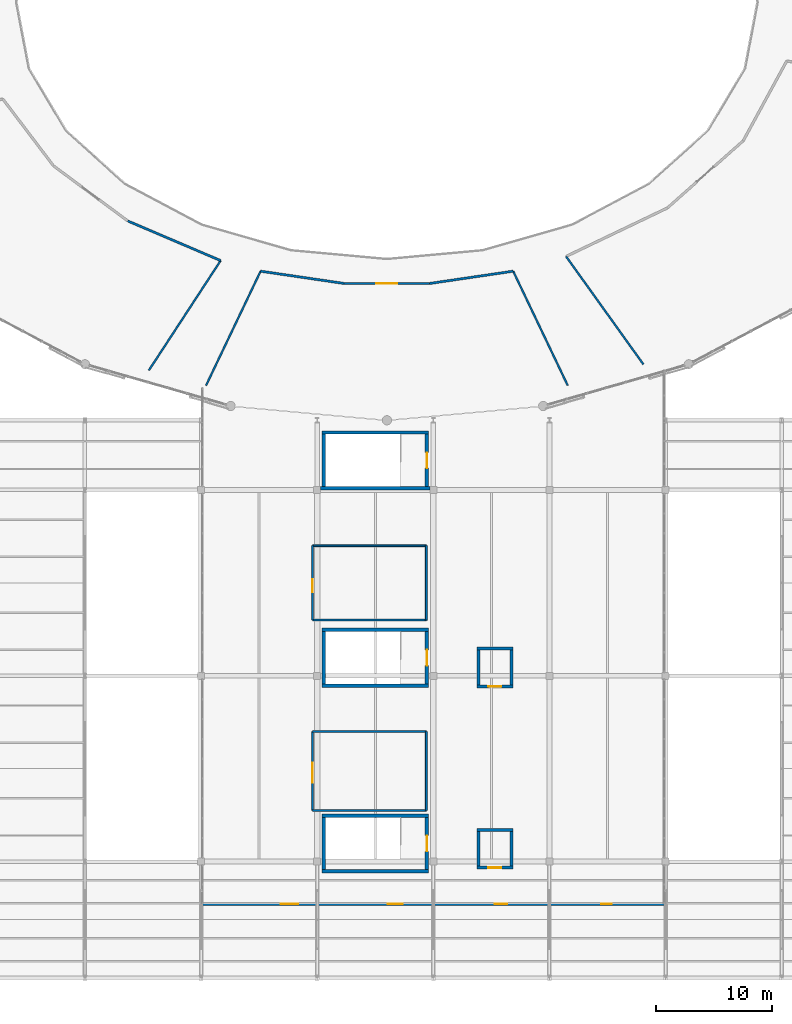
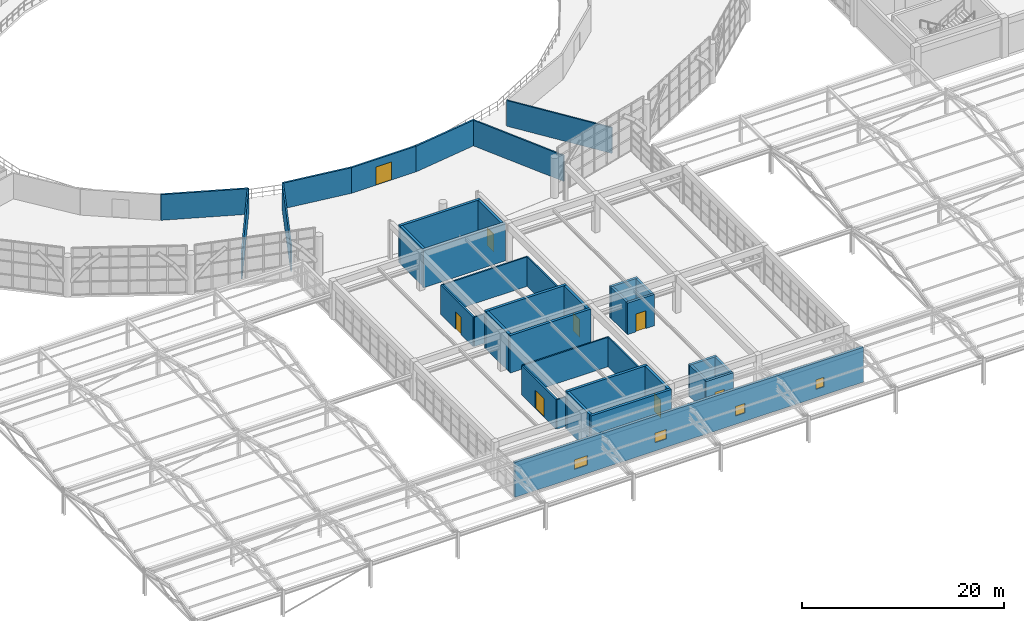
# One storey, part 89 of 109: 37 walls, 8 doors, 4 windows, 12 openings.
"""IFC4 building model written with IfcOpenShell, lengths in metres."""

from ifc_helpers import new_model, si_unit, direction, frame, frame_2d, origin, place, context, subcontext, project, spatial, rectangle, extrude, material, layer, layer_set, type_object, element, fill, save


model = new_model("IFC4")

# Units and contexts
model_context = context("Model", 3, precision=1e-05, world=origin(), true_north=direction((0.0, 1.0)))
body_context = subcontext(model_context, "Body", "Model", "MODEL_VIEW")
ifc_project = project(units=[si_unit("LENGTHUNIT", "METRE"), si_unit("AREAUNIT", "SQUARE_METRE"), si_unit("VOLUMEUNIT", "CUBIC_METRE"), si_unit("PLANEANGLEUNIT", "RADIAN"), si_unit("MASSUNIT", "GRAM", prefix="KILO")], contexts=[model_context])

# Site, building, storey
site_placement = place(None, origin())
site = spatial("IfcSite", under=ifc_project, at=site_placement, CompositionType="ELEMENT")
building_placement = place(site_placement, origin())
building = spatial("IfcBuilding", under=site, at=building_placement, Name="Kivolera Central Railway Station", CompositionType="ELEMENT")
storey_placement = place(building_placement, frame((0.0, 0.0, 9.60009765625)))
storey = spatial("IfcBuildingStorey", under=building, at=storey_placement, Name="L02", CompositionType="ELEMENT", Elevation=9.60009765625)

# Walls
ifc_material_1 = material(Name="Swahili coral limestone", Category="masonry")
ifc_layer_1 = layer(ifc_material_1, 0.199951171875, Name="Swahili coral limestone")
ifc_layer_set_1 = layer_set([ifc_layer_1], Name="Swahili coral limestone")
wall_type_1 = type_object("IfcWallType", Name="WL-COR-200", PredefinedType="PARTITIONING", material=ifc_layer_set_1)
wall_1_placement = place(storey_placement, frame((41.68896484375, 71.166015625, 0.0), z_axis=(0.0, 0.0, 1.0), x_axis=(0.919765730294, -0.39246783483, 0.0)))
element("IfcWall", 1, at=wall_1_placement, inside=storey, type_object=wall_type_1, Name="L02 East African Railway Heritage Classroom Gallery Wall 3", PredefinedType="PARTITIONING", context=body_context, shape_type="SweptSolid", body=[
    extrude(rectangle(XDim=8.69140625, YDim=0.199951171875, at=frame_2d((4.345703125, 0.0))), origin(), (0.0, 0.0, 1.0), 3.099853515625),
])
wall_2_placement = place(storey_placement, frame((53.123046875, 66.842041015625, 0.0), z_axis=(0.0, 0.0, 1.0), x_axis=(0.989348193299, -0.145568377117, 0.0)))
element("IfcWall", 2, at=wall_2_placement, inside=storey, type_object=wall_type_1, Name="L02 South Concourse Intercity Departure Lounge Gallery Wall 1", PredefinedType="PARTITIONING", context=body_context, shape_type="SweptSolid", body=[
    extrude(rectangle(XDim=7.275390625, YDim=0.199951171875, at=frame_2d((3.6376953125, 0.0))), origin(), (0.0, 0.0, 1.0), 3.099853515625),
])

# Wall, opening, door
wall_3_placement = place(storey_placement, frame((60.321044921875, 65.782958984375, 0.0), z_axis=(0.0, 0.0, 1.0), x_axis=(1.0, 0.0, 0.0)))
wall_3 = element("IfcWall", 3, at=wall_3_placement, inside=storey, type_object=wall_type_1, Name="L02 South Concourse Intercity Departure Lounge Gallery Wall 2", PredefinedType="PARTITIONING", context=body_context, shape_type="SweptSolid", body=[
    extrude(rectangle(XDim=7.35791015625, YDim=0.199951171875, at=frame_2d((3.678955078125, 0.0))), origin(), (0.0, 0.0, 1.0), 3.099853515625),
])
opening_1_placement = place(wall_3_placement, frame((2.779052734375, 0.0, 0.0)))
opening_1 = element("IfcOpeningElement", 4, at=opening_1_placement, cuts=wall_3, Name="Opening D-DB-04", PredefinedType="OPENING", context=body_context, shape_type="SweptSolid", body=[
    extrude(rectangle(XDim=1.800048828125, YDim=2.199951171875, at=frame_2d((0.89990234375, 1.10009765625))), frame((0.0, 0.10986328125, 0.0), z_axis=(0.0, -1.0, 0.0), x_axis=(1.0, 0.0, 0.0)), (0.0, 0.0, 1.0), 0.219970703125),
])
ifc_material_2 = material(Name="Anodised aluminium", Category="aluminium")
door_type_1 = type_object("IfcDoorType", Name="DR-D-DB-04", OperationType="NOTDEFINED", PredefinedType="DOOR", material=ifc_material_2)
door_1_placement = place(opening_1_placement, origin())
door_1 = element("IfcDoor", 5, at=door_1_placement, inside=storey, type_object=door_type_1, Name="L02 South Concourse Intercity Departure Lounge Door", OperationType="DOUBLE_DOOR_SINGLE_SWING", OverallHeight=2.199951171875, OverallWidth=1.800048828125, PredefinedType="DOOR", context=body_context, shape_type="SweptSolid", body=[
    extrude(rectangle(XDim=1.800048828125, YDim=2.199951171875, at=frame_2d((0.89990234375, 1.10009765625))), frame((0.0, 0.02490234375, 0.0), z_axis=(0.0, -1.0, 0.0), x_axis=(1.0, 0.0, 0.0)), (0.0, 0.0, 1.0), 0.050048828125),
])
fill(opening_1, door_1)

# Wall
wall_4_placement = place(storey_placement, frame((67.678955078125, 65.782958984375, 0.0), z_axis=(0.0, 0.0, 1.0), x_axis=(0.989348193299, 0.145568377117, 0.0)))
element("IfcWall", 6, at=wall_4_placement, inside=storey, type_object=wall_type_1, Name="L02 South Concourse Intercity Departure Lounge Gallery Wall 3", PredefinedType="PARTITIONING", context=body_context, shape_type="SweptSolid", body=[
    extrude(rectangle(XDim=7.275390625, YDim=0.199951171875, at=frame_2d((3.6376953125, 0.0))), origin(), (0.0, 0.0, 1.0), 3.099853515625),
])

# Wall, opening, door
wall_5_placement = place(storey_placement, frame((57.60009765625, 20.39990234375, 0.0), z_axis=(0.0, 0.0, 1.0), x_axis=(0.0, 1.0, 0.0)))
wall_5 = element("IfcWall", 7, at=wall_5_placement, inside=storey, type_object=wall_type_1, Name="L02 Concourse Rail Express Shop Door Host Wall", PredefinedType="PARTITIONING", context=body_context, shape_type="SweptSolid", body=[
    extrude(rectangle(XDim=6.800048828125, YDim=0.199951171875, at=frame_2d((3.39990234375, 0.0))), origin(), (0.0, 0.0, 1.0), 3.5498046875),
])
opening_2_placement = place(wall_5_placement, frame((2.39990234375, 0.0, 0.0)))
opening_2 = element("IfcOpeningElement", 8, at=opening_2_placement, cuts=wall_5, Name="Opening D-DB-03", PredefinedType="OPENING", context=body_context, shape_type="SweptSolid", body=[
    extrude(rectangle(XDim=1.699951171875, YDim=2.199951171875, at=frame_2d((0.85009765625, 1.10009765625))), frame((0.0, 0.10986328125, 0.0), z_axis=(0.0, -1.0, 0.0), x_axis=(1.0, 0.0, 0.0)), (0.0, 0.0, 1.0), 0.219970703125),
])
door_type_2 = type_object("IfcDoorType", Name="DR-D-DB-03", OperationType="NOTDEFINED", PredefinedType="DOOR", material=ifc_material_2)
door_2_placement = place(opening_2_placement, origin())
door_2 = element("IfcDoor", 9, at=door_2_placement, inside=storey, type_object=door_type_2, Name="L02 Concourse Rail Express Shop Door", OperationType="DOUBLE_DOOR_SINGLE_SWING", OverallHeight=2.199951171875, OverallWidth=1.699951171875, PredefinedType="DOOR", context=body_context, shape_type="SweptSolid", body=[
    extrude(rectangle(XDim=1.699951171875, YDim=2.199951171875, at=frame_2d((0.85009765625, 1.10009765625))), frame((0.0, 0.02490234375, 0.0), z_axis=(0.0, -1.0, 0.0), x_axis=(1.0, 0.0, 0.0)), (0.0, 0.0, 1.0), 0.050048828125),
])
fill(opening_2, door_2)

wall_6_placement = place(storey_placement, frame((57.60009765625, 36.800048828125, 0.0), z_axis=(0.0, 0.0, 1.0), x_axis=(0.0, 1.0, 0.0)))
wall_6 = element("IfcWall", 10, at=wall_6_placement, inside=storey, type_object=wall_type_1, Name="L02 Gateline Control Office Door Host Wall", PredefinedType="PARTITIONING", context=body_context, shape_type="SweptSolid", body=[
    extrude(rectangle(XDim=6.39990234375, YDim=0.199951171875, at=frame_2d((3.199951171875, 0.0))), origin(), (0.0, 0.0, 1.0), 3.5498046875),
])
opening_3_placement = place(wall_6_placement, frame((2.39990234375, 0.0, 0.0)))
opening_3 = element("IfcOpeningElement", 11, at=opening_3_placement, cuts=wall_6, Name="Opening D-SG-05", PredefinedType="OPENING", context=body_context, shape_type="SweptSolid", body=[
    extrude(rectangle(XDim=1.10009765625, YDim=2.10009765625, at=frame_2d((0.550048828125, 1.050048828125))), frame((0.0, 0.10986328125, 0.0), z_axis=(0.0, -1.0, 0.0), x_axis=(1.0, 0.0, 0.0)), (0.0, 0.0, 1.0), 0.219970703125),
])
ifc_material_3 = material(Name="Hardwood mvule timber", Category="wood")
door_type_3 = type_object("IfcDoorType", Name="DR-D-SG-05", OperationType="NOTDEFINED", PredefinedType="DOOR", material=ifc_material_3)
door_3_placement = place(opening_3_placement, origin())
door_3 = element("IfcDoor", 12, at=door_3_placement, inside=storey, type_object=door_type_3, Name="L02 Gateline Control Office Door", OperationType="SINGLE_SWING_RIGHT", OverallHeight=2.10009765625, OverallWidth=1.10009765625, PredefinedType="DOOR", context=body_context, shape_type="SweptSolid", body=[
    extrude(rectangle(XDim=1.10009765625, YDim=2.10009765625, at=frame_2d((0.550048828125, 1.050048828125))), frame((0.0, 0.02490234375, 0.0), z_axis=(0.0, -1.0, 0.0), x_axis=(1.0, 0.0, 0.0)), (0.0, 0.0, 1.0), 0.050048828125),
])
fill(opening_3, door_3)

# Walls
ifc_material_4 = material(Name="Concrete C40/50", Category="concrete")
ifc_layer_2 = layer(ifc_material_4, 0.300048828125, Name="Concrete C40/50")
ifc_layer_set_2 = layer_set([ifc_layer_2], Name="Concrete C40/50")
wall_type_2 = type_object("IfcWallType", Name="WL-CORE-300", PredefinedType="SHEAR", material=ifc_layer_set_2)
wall_7_placement = place(storey_placement, frame((67.699951171875, 48.14990234375, 0.0), z_axis=(0.0, 0.0, 1.0), x_axis=(-1.0, 0.0, 0.0)))
element("IfcWall", 13, at=wall_7_placement, inside=storey, type_object=wall_type_2, Name="L02 ST8 Core Right Shear Wall", PredefinedType="SHEAR", context=body_context, shape_type="SweptSolid", body=[
    extrude(rectangle(XDim=9.39990234375, YDim=0.300048828125, at=frame_2d((4.699951171875, 0.0))), origin(), (0.0, 0.0, 1.0), 4.52001953125),
])
wall_8_placement = place(storey_placement, frame((58.39990234375, 52.949951171875, 0.0), z_axis=(0.0, 0.0, 1.0), x_axis=(1.0, 0.0, 0.0)))
element("IfcWall", 14, at=wall_8_placement, inside=storey, type_object=wall_type_2, Name="L02 ST8 Core Left Shear Wall", PredefinedType="SHEAR", context=body_context, shape_type="SweptSolid", body=[
    extrude(rectangle(XDim=9.2001953125, YDim=0.300048828125, at=frame_2d((4.60009765625, 0.0))), origin(), (0.0, 0.0, 1.0), 4.52001953125),
])

# Wall, opening, door
wall_9_placement = place(storey_placement, frame((67.449951171875, 52.800048828125, 0.0), z_axis=(0.0, 0.0, 1.0), x_axis=(0.0, -1.0, 0.0)))
wall_9 = element("IfcWall", 15, at=wall_9_placement, inside=storey, type_object=wall_type_2, Name="L02 ST8 Core Near Shear Wall", PredefinedType="SHEAR", context=body_context, shape_type="SweptSolid", body=[
    extrude(rectangle(XDim=4.5, YDim=0.300048828125, at=frame_2d((2.25, 0.0))), origin(), (0.0, 0.0, 1.0), 4.52001953125),
])
opening_4_placement = place(wall_9_placement, frame((1.574951171875, 0.0, 0.0)))
opening_4 = element("IfcOpeningElement", 16, at=opening_4_placement, cuts=wall_9, Name="Opening D-STAIR-1350", PredefinedType="OPENING", context=body_context, shape_type="SweptSolid", body=[
    extrude(rectangle(XDim=1.35009765625, YDim=2.14990234375, at=frame_2d((0.675048828125, 1.074951171875))), frame((0.0, 0.159912109375, 0.0), z_axis=(0.0, -1.0, 0.0), x_axis=(1.0, 0.0, 0.0)), (0.0, 0.0, 1.0), 0.320068359375),
])
door_type_4 = type_object("IfcDoorType", Name="DR-D-STAIR-1350", OperationType="NOTDEFINED", PredefinedType="DOOR", material=ifc_material_3)
door_4_placement = place(opening_4_placement, origin())
door_4 = element("IfcDoor", 17, at=door_4_placement, inside=storey, type_object=door_type_4, Name="L02 ST8 Concourse/Platform Stair Fire Door", OperationType="SINGLE_SWING_RIGHT", OverallHeight=2.14990234375, OverallWidth=1.35009765625, PredefinedType="DOOR", context=body_context, shape_type="SweptSolid", body=[
    extrude(rectangle(XDim=1.35009765625, YDim=2.14990234375, at=frame_2d((0.675048828125, 1.074951171875))), frame((0.0, 0.02490234375, 0.0), z_axis=(0.0, -1.0, 0.0), x_axis=(1.0, 0.0, 0.0)), (0.0, 0.0, 1.0), 0.050048828125),
])
fill(opening_4, door_4)

# Walls
wall_10_placement = place(storey_placement, frame((58.550048828125, 48.300048828125, 0.0), z_axis=(0.0, 0.0, 1.0), x_axis=(0.0, 1.0, 0.0)))
element("IfcWall", 18, at=wall_10_placement, inside=storey, type_object=wall_type_2, Name="L02 ST8 Core Far Shear Wall", PredefinedType="SHEAR", context=body_context, shape_type="SweptSolid", body=[
    extrude(rectangle(XDim=4.5, YDim=0.300048828125, at=frame_2d((2.25, 0.0))), origin(), (0.0, 0.0, 1.0), 4.52001953125),
])
for number, where, z_axis, x_axis, name in (
    (19, (67.60009765625, 31.14990234375, 0.0), (0.0, 0.0, 1.0), (-1.0, 0.0, 0.0), "L02 ST9 Core Right Shear Wall"),
    (20, (58.39990234375, 35.949951171875, 0.0), (0.0, 0.0, 1.0), (1.0, 0.0, 0.0), "L02 ST9 Core Left Shear Wall"),
):
    element("IfcWall", number, at=place(storey_placement, frame(where, z_axis=z_axis, x_axis=x_axis)), inside=storey, type_object=wall_type_2, Name=name, PredefinedType="SHEAR", context=body_context, shape_type="SweptSolid", body=[
        extrude(rectangle(XDim=9.2001953125, YDim=0.300048828125, at=frame_2d((4.60009765625, 0.0))), origin(), (0.0, 0.0, 1.0), 4.52001953125),
    ])

# Wall, opening, door
wall_11_placement = place(storey_placement, frame((67.449951171875, 35.800048828125, 0.0), z_axis=(0.0, 0.0, 1.0), x_axis=(0.0, -1.0, 0.0)))
wall_11 = element("IfcWall", 21, at=wall_11_placement, inside=storey, type_object=wall_type_2, Name="L02 ST9 Core Near Shear Wall", PredefinedType="SHEAR", context=body_context, shape_type="SweptSolid", body=[
    extrude(rectangle(XDim=4.5, YDim=0.300048828125, at=frame_2d((2.25, 0.0))), origin(), (0.0, 0.0, 1.0), 4.52001953125),
])
opening_5_placement = place(wall_11_placement, frame((1.574951171875, 0.0, 0.0)))
opening_5 = element("IfcOpeningElement", 22, at=opening_5_placement, cuts=wall_11, Name="Opening D-STAIR-1350", PredefinedType="OPENING", context=body_context, shape_type="SweptSolid", body=[
    extrude(rectangle(XDim=1.35009765625, YDim=2.14990234375, at=frame_2d((0.675048828125, 1.074951171875))), frame((0.0, 0.159912109375, 0.0), z_axis=(0.0, -1.0, 0.0), x_axis=(1.0, 0.0, 0.0)), (0.0, 0.0, 1.0), 0.320068359375),
])
door_5_placement = place(opening_5_placement, origin())
door_5 = element("IfcDoor", 23, at=door_5_placement, inside=storey, type_object=door_type_4, Name="L02 ST9 Concourse/Platform Stair Fire Door", OperationType="SINGLE_SWING_LEFT", OverallHeight=2.14990234375, OverallWidth=1.35009765625, PredefinedType="DOOR", context=body_context, shape_type="SweptSolid", body=[
    extrude(rectangle(XDim=1.35009765625, YDim=2.14990234375, at=frame_2d((0.675048828125, 1.074951171875))), frame((0.0, 0.02490234375, 0.0), z_axis=(0.0, -1.0, 0.0), x_axis=(1.0, 0.0, 0.0)), (0.0, 0.0, 1.0), 0.050048828125),
])
fill(opening_5, door_5)

# Walls
wall_12_placement = place(storey_placement, frame((58.550048828125, 31.300048828125, 0.0), z_axis=(0.0, 0.0, 1.0), x_axis=(0.0, 1.0, 0.0)))
element("IfcWall", 24, at=wall_12_placement, inside=storey, type_object=wall_type_2, Name="L02 ST9 Core Far Shear Wall", PredefinedType="SHEAR", context=body_context, shape_type="SweptSolid", body=[
    extrude(rectangle(XDim=4.5, YDim=0.300048828125, at=frame_2d((2.25, 0.0))), origin(), (0.0, 0.0, 1.0), 4.52001953125),
])
for number, where, z_axis, x_axis, name in (
    (25, (67.60009765625, 15.14990234375, 0.0), (0.0, 0.0, 1.0), (-1.0, 0.0, 0.0), "L02 ST10 Core Right Shear Wall"),
    (26, (58.39990234375, 19.949951171875, 0.0), (0.0, 0.0, 1.0), (1.0, 0.0, 0.0), "L02 ST10 Core Left Shear Wall"),
):
    element("IfcWall", number, at=place(storey_placement, frame(where, z_axis=z_axis, x_axis=x_axis)), inside=storey, type_object=wall_type_2, Name=name, PredefinedType="SHEAR", context=body_context, shape_type="SweptSolid", body=[
        extrude(rectangle(XDim=9.2001953125, YDim=0.300048828125, at=frame_2d((4.60009765625, 0.0))), origin(), (0.0, 0.0, 1.0), 4.52001953125),
    ])

# Wall, opening, door
wall_13_placement = place(storey_placement, frame((67.449951171875, 19.800048828125, 0.0), z_axis=(0.0, 0.0, 1.0), x_axis=(0.0, -1.0, 0.0)))
wall_13 = element("IfcWall", 27, at=wall_13_placement, inside=storey, type_object=wall_type_2, Name="L02 ST10 Core Near Shear Wall", PredefinedType="SHEAR", context=body_context, shape_type="SweptSolid", body=[
    extrude(rectangle(XDim=4.5, YDim=0.300048828125, at=frame_2d((2.25, 0.0))), origin(), (0.0, 0.0, 1.0), 4.52001953125),
])
opening_6_placement = place(wall_13_placement, frame((1.574951171875, 0.0, 0.0)))
opening_6 = element("IfcOpeningElement", 28, at=opening_6_placement, cuts=wall_13, Name="Opening D-STAIR-1350", PredefinedType="OPENING", context=body_context, shape_type="SweptSolid", body=[
    extrude(rectangle(XDim=1.35009765625, YDim=2.14990234375, at=frame_2d((0.675048828125, 1.074951171875))), frame((0.0, 0.159912109375, 0.0), z_axis=(0.0, -1.0, 0.0), x_axis=(1.0, 0.0, 0.0)), (0.0, 0.0, 1.0), 0.320068359375),
])
door_6_placement = place(opening_6_placement, origin())
door_6 = element("IfcDoor", 29, at=door_6_placement, inside=storey, type_object=door_type_4, Name="L02 ST10 Concourse/Platform Stair Fire Door", OperationType="SINGLE_SWING_RIGHT", OverallHeight=2.14990234375, OverallWidth=1.35009765625, PredefinedType="DOOR", context=body_context, shape_type="SweptSolid", body=[
    extrude(rectangle(XDim=1.35009765625, YDim=2.14990234375, at=frame_2d((0.675048828125, 1.074951171875))), frame((0.0, 0.02490234375, 0.0), z_axis=(0.0, -1.0, 0.0), x_axis=(1.0, 0.0, 0.0)), (0.0, 0.0, 1.0), 0.050048828125),
])
fill(opening_6, door_6)

# Wall
wall_14_placement = place(storey_placement, frame((58.550048828125, 15.300048828125, 0.0), z_axis=(0.0, 0.0, 1.0), x_axis=(0.0, 1.0, 0.0)))
element("IfcWall", 30, at=wall_14_placement, inside=storey, type_object=wall_type_2, Name="L02 ST10 Core Far Shear Wall", PredefinedType="SHEAR", context=body_context, shape_type="SweptSolid", body=[
    extrude(rectangle(XDim=4.5, YDim=0.300048828125, at=frame_2d((2.25, 0.0))), origin(), (0.0, 0.0, 1.0), 4.52001953125),
])

# Wall, openings, windows
ifc_layer_3 = layer(ifc_material_1, 0.2900390625, Name="Swahili coral limestone")
ifc_layer_set_3 = layer_set([ifc_layer_3], Name="Swahili coral limestone")
wall_type_3 = type_object("IfcWallType", Name="WL-EXT-CORAL-290", PredefinedType="SOLIDWALL", material=ifc_layer_set_3)
wall_15_placement = place(storey_placement, frame((87.8798828125, 12.35009765625, 0.0), z_axis=(0.0, 0.0, 1.0), x_axis=(-1.0, 0.0, 0.0)))
wall_15 = element("IfcWall", 31, at=wall_15_placement, inside=storey, type_object=wall_type_3, Name="L02 Over-Track Concourse South Facade Wall", PredefinedType="SOLIDWALL", context=body_context, shape_type="SweptSolid", body=[
    extrude(rectangle(XDim=39.759765625, YDim=0.2900390625, at=frame_2d((19.8798828125, 0.0))), origin(), (0.0, 0.0, 1.0), 4.199951171875),
])
opening_7_placement = place(wall_15_placement, frame((4.5, 0.0, 1.0)))
opening_7 = element("IfcOpeningElement", 32, at=opening_7_placement, cuts=wall_15, Name="Opening WN-01", PredefinedType="OPENING", context=body_context, shape_type="SweptSolid", body=[
    extrude(rectangle(XDim=0.89990234375, YDim=1.14990234375, at=frame_2d((0.449951171875, 0.574951171875))), frame((0.0, 0.155029296875, 0.0), z_axis=(0.0, -1.0, 0.0), x_axis=(1.0, 0.0, 0.0)), (0.0, 0.0, 1.0), 0.31005859375),
])
opening_8_placement = place(wall_15_placement, frame((13.5, 0.0, 1.0)))
opening_8 = element("IfcOpeningElement", 33, at=opening_8_placement, cuts=wall_15, Name="Opening WN-02", PredefinedType="OPENING", context=body_context, shape_type="SweptSolid", body=[
    extrude(rectangle(XDim=1.10009765625, YDim=1.14990234375, at=frame_2d((0.550048828125, 0.574951171875))), frame((0.0, 0.155029296875, 0.0), z_axis=(0.0, -1.0, 0.0), x_axis=(1.0, 0.0, 0.0)), (0.0, 0.0, 1.0), 0.31005859375),
])
opening_9_placement = place(wall_15_placement, frame((22.5, 0.0, 1.0)))
opening_9 = element("IfcOpeningElement", 34, at=opening_9_placement, cuts=wall_15, Name="Opening WN-03", PredefinedType="OPENING", context=body_context, shape_type="SweptSolid", body=[
    extrude(rectangle(XDim=1.300048828125, YDim=1.14990234375, at=frame_2d((0.64990234375, 0.574951171875))), frame((0.0, 0.155029296875, 0.0), z_axis=(0.0, -1.0, 0.0), x_axis=(1.0, 0.0, 0.0)), (0.0, 0.0, 1.0), 0.31005859375),
])
opening_10_placement = place(wall_15_placement, frame((31.5, 0.0, 1.0)))
opening_10 = element("IfcOpeningElement", 35, at=opening_10_placement, cuts=wall_15, Name="Opening WN-04", PredefinedType="OPENING", context=body_context, shape_type="SweptSolid", body=[
    extrude(rectangle(XDim=1.5, YDim=1.14990234375, at=frame_2d((0.75, 0.574951171875))), frame((0.0, 0.155029296875, 0.0), z_axis=(0.0, -1.0, 0.0), x_axis=(1.0, 0.0, 0.0)), (0.0, 0.0, 1.0), 0.31005859375),
])
ifc_material_5 = material(Name="Double low-E laminated glass", Category="glass")
window_type_1 = type_object("IfcWindowType", Name="WIN-WN-01", PartitioningType="SINGLE_PANEL", PredefinedType="WINDOW", material=ifc_material_5)
window_1_placement = place(opening_7_placement, origin())
window_1 = element("IfcWindow", 36, at=window_1_placement, inside=storey, type_object=window_type_1, Name="Over-Track Bridge South Window 1", OverallHeight=1.14990234375, OverallWidth=0.89990234375, PartitioningType="SINGLE_PANEL", PredefinedType="WINDOW", context=body_context, shape_type="SweptSolid", body=[
    extrude(rectangle(XDim=0.89990234375, YDim=1.14990234375, at=frame_2d((0.449951171875, 0.574951171875))), frame((0.0, 0.030029296875, 0.0), z_axis=(0.0, -1.0, 0.0), x_axis=(1.0, 0.0, 0.0)), (0.0, 0.0, 1.0), 0.06005859375),
])
fill(opening_7, window_1)
window_type_2 = type_object("IfcWindowType", Name="WIN-WN-02", PartitioningType="SINGLE_PANEL", PredefinedType="WINDOW", material=ifc_material_5)
window_2_placement = place(opening_8_placement, origin())
window_2 = element("IfcWindow", 37, at=window_2_placement, inside=storey, type_object=window_type_2, Name="Over-Track Bridge South Window 2", OverallHeight=1.14990234375, OverallWidth=1.10009765625, PartitioningType="SINGLE_PANEL", PredefinedType="WINDOW", context=body_context, shape_type="SweptSolid", body=[
    extrude(rectangle(XDim=1.10009765625, YDim=1.14990234375, at=frame_2d((0.550048828125, 0.574951171875))), frame((0.0, 0.030029296875, 0.0), z_axis=(0.0, -1.0, 0.0), x_axis=(1.0, 0.0, 0.0)), (0.0, 0.0, 1.0), 0.06005859375),
])
fill(opening_8, window_2)
window_type_3 = type_object("IfcWindowType", Name="WIN-WN-03", PartitioningType="SINGLE_PANEL", PredefinedType="WINDOW", material=ifc_material_5)
window_3_placement = place(opening_9_placement, origin())
window_3 = element("IfcWindow", 38, at=window_3_placement, inside=storey, type_object=window_type_3, Name="Over-Track Bridge South Window 3", OverallHeight=1.14990234375, OverallWidth=1.300048828125, PartitioningType="SINGLE_PANEL", PredefinedType="WINDOW", context=body_context, shape_type="SweptSolid", body=[
    extrude(rectangle(XDim=1.300048828125, YDim=1.14990234375, at=frame_2d((0.64990234375, 0.574951171875))), frame((0.0, 0.030029296875, 0.0), z_axis=(0.0, -1.0, 0.0), x_axis=(1.0, 0.0, 0.0)), (0.0, 0.0, 1.0), 0.06005859375),
])
fill(opening_9, window_3)
window_type_4 = type_object("IfcWindowType", Name="WIN-WN-04", PartitioningType="SINGLE_PANEL", PredefinedType="WINDOW", material=ifc_material_5)
window_4_placement = place(opening_10_placement, origin())
window_4 = element("IfcWindow", 39, at=window_4_placement, inside=storey, type_object=window_type_4, Name="Over-Track Bridge South Window 4", OverallHeight=1.14990234375, OverallWidth=1.5, PartitioningType="SINGLE_PANEL", PredefinedType="WINDOW", context=body_context, shape_type="SweptSolid", body=[
    extrude(rectangle(XDim=1.5, YDim=1.14990234375, at=frame_2d((0.75, 0.574951171875))), frame((0.0, 0.030029296875, 0.0), z_axis=(0.0, -1.0, 0.0), x_axis=(1.0, 0.0, 0.0)), (0.0, 0.0, 1.0), 0.06005859375),
])
fill(opening_10, window_4)

# Walls
ifc_material_6 = material(Name="Gypsum plasterboard steel-stud partition")
ifc_layer_4 = layer(ifc_material_6, 0.1650390625, Name="Gypsum plasterboard steel-stud partition")
ifc_layer_set_4 = layer_set([ifc_layer_4], Name="Gypsum plasterboard steel-stud partition")
wall_type_4 = type_object("IfcWallType", Name="WL-PRT-165", PredefinedType="PARTITIONING", material=ifc_layer_set_4)
wall_16_placement = place(storey_placement, frame((49.68310546875, 67.7548828125, 0.0), z_axis=(0.0, 0.0, 1.0), x_axis=(-0.547317485872, -0.836925068127, 0.0)))
element("IfcWall", 40, at=wall_16_placement, inside=storey, type_object=wall_type_4, Name="L02 East African Railway Heritage Classroom Radial Partition R1", PredefinedType="PARTITIONING", context=body_context, shape_type="SweptSolid", body=[
    extrude(rectangle(XDim=11.297119140625, YDim=0.1650390625, at=frame_2d((5.6484375, 0.0))), origin(), (0.0, 0.0, 1.0), 3.099853515625),
])
for number, where, z_axis, x_axis, name in (
    (41, (53.123046875, 66.842041015625, 0.0), (0.0, 0.0, 1.0), (-0.430636358526, -0.902525526905, 0.0), "L02 South Concourse Intercity Departure Lounge Radial Partition R0"),
    (42, (74.876953125, 66.842041015625, 0.0), (0.0, 0.0, 1.0), (0.430636358526, -0.902525526905, 0.0), "L02 South Concourse Intercity Departure Lounge Radial Partition R1"),
):
    element("IfcWall", number, at=place(storey_placement, frame(where, z_axis=z_axis, x_axis=x_axis)), inside=storey, type_object=wall_type_4, Name=name, PredefinedType="PARTITIONING", context=body_context, shape_type="SweptSolid", body=[
        extrude(rectangle(XDim=10.9072265625, YDim=0.1650390625, at=frame_2d((5.45361328125, 0.0))), origin(), (0.0, 0.0, 1.0), 3.099853515625),
    ])
wall_17_placement = place(storey_placement, frame((79.430908203125, 68.114013671875, 0.0), z_axis=(0.0, 0.0, 1.0), x_axis=(0.582325565776, -0.812955678647, 0.0)))
element("IfcWall", 43, at=wall_17_placement, inside=storey, type_object=wall_type_4, Name="L02 Concourse Transfer Passenger Dining Hall Radial Partition R0", PredefinedType="PARTITIONING", context=body_context, shape_type="SweptSolid", body=[
    extrude(rectangle(XDim=11.442138671875, YDim=0.1650390625, at=frame_2d((5.72119140625, 0.0))), origin(), (0.0, 0.0, 1.0), 3.099853515625),
])
wall_18_placement = place(storey_placement, frame((67.39990234375, 20.39990234375, 0.0), z_axis=(0.0, 0.0, 1.0), x_axis=(0.0, 1.0, 0.0)))
element("IfcWall", 44, at=wall_18_placement, inside=storey, type_object=wall_type_4, Name="L02 Bridge Partition WL-L02-BRGKSK-E", PredefinedType="PARTITIONING", context=body_context, shape_type="SweptSolid", body=[
    extrude(rectangle(XDim=6.800048828125, YDim=0.1650390625, at=frame_2d((3.39990234375, 0.0))), origin(), (0.0, 0.0, 1.0), 3.5498046875),
])
for number, where, z_axis, x_axis, name in (
    (45, (57.60009765625, 20.39990234375, 0.0), (0.0, 0.0, 1.0), (1.0, 0.0, 0.0), "L02 Bridge Partition WL-L02-BRGKSK-S"),
    (46, (57.60009765625, 27.199951171875, 0.0), (0.0, 0.0, 1.0), (1.0, 0.0, 0.0), "L02 Bridge Partition WL-L02-BRGKSK-N"),
):
    element("IfcWall", number, at=place(storey_placement, frame(where, z_axis=z_axis, x_axis=x_axis)), inside=storey, type_object=wall_type_4, Name=name, PredefinedType="PARTITIONING", context=body_context, shape_type="SweptSolid", body=[
        extrude(rectangle(XDim=9.7998046875, YDim=0.1650390625, at=frame_2d((4.89990234375, 0.0))), origin(), (0.0, 0.0, 1.0), 3.5498046875),
    ])
wall_19_placement = place(storey_placement, frame((67.39990234375, 36.800048828125, 0.0), z_axis=(0.0, 0.0, 1.0), x_axis=(0.0, 1.0, 0.0)))
element("IfcWall", 47, at=wall_19_placement, inside=storey, type_object=wall_type_4, Name="L02 Bridge Partition WL-L02-BRGGAT-E", PredefinedType="PARTITIONING", context=body_context, shape_type="SweptSolid", body=[
    extrude(rectangle(XDim=6.39990234375, YDim=0.1650390625, at=frame_2d((3.199951171875, 0.0))), origin(), (0.0, 0.0, 1.0), 3.5498046875),
])
for number, where, z_axis, x_axis, name in (
    (48, (57.60009765625, 36.800048828125, 0.0), (0.0, 0.0, 1.0), (1.0, 0.0, 0.0), "L02 Bridge Partition WL-L02-BRGGAT-S"),
    (49, (57.60009765625, 43.199951171875, 0.0), (0.0, 0.0, 1.0), (1.0, 0.0, 0.0), "L02 Bridge Partition WL-L02-BRGGAT-N"),
):
    element("IfcWall", number, at=place(storey_placement, frame(where, z_axis=z_axis, x_axis=x_axis)), inside=storey, type_object=wall_type_4, Name=name, PredefinedType="PARTITIONING", context=body_context, shape_type="SweptSolid", body=[
        extrude(rectangle(XDim=9.7998046875, YDim=0.1650390625, at=frame_2d((4.89990234375, 0.0))), origin(), (0.0, 0.0, 1.0), 3.5498046875),
    ])

# Wall, opening, door
ifc_layer_5 = layer(ifc_material_4, 0.260009765625, Name="Concrete C40/50")
ifc_layer_set_5 = layer_set([ifc_layer_5], Name="Concrete C40/50")
wall_type_5 = type_object("IfcWallType", Name="WL-SHAFT-260", PredefinedType="SHEAR", material=ifc_layer_set_5)
wall_20_placement = place(storey_placement, frame((71.739990234375, 31.070068359375, 0.0), z_axis=(0.0, 0.0, 1.0), x_axis=(1.0, 0.0, 0.0)))
wall_20 = element("IfcWall", 50, at=wall_20_placement, inside=storey, type_object=wall_type_5, Name="L02 Lift PL4 Front Shaft Wall", PredefinedType="SHEAR", context=body_context, shape_type="SweptSolid", body=[
    extrude(rectangle(XDim=3.1201171875, YDim=0.260009765625, at=frame_2d((1.56005859375, 0.0))), origin(), (0.0, 0.0, 1.0), 3.7998046875),
])
opening_11_placement = place(wall_20_placement, frame((1.010009765625, 0.0, 0.0)))
opening_11 = element("IfcOpeningElement", 51, at=opening_11_placement, cuts=wall_20, Name="Opening LD-PAX-1100", PredefinedType="OPENING", context=body_context, shape_type="SweptSolid", body=[
    extrude(rectangle(XDim=1.10009765625, YDim=2.14990234375, at=frame_2d((0.550048828125, 1.074951171875))), frame((0.0, 0.139892578125, 0.0), z_axis=(0.0, -1.0, 0.0), x_axis=(1.0, 0.0, 0.0)), (0.0, 0.0, 1.0), 0.280029296875),
])
door_type_5 = type_object("IfcDoorType", Name="DR-LD-PAX-1100", OperationType="NOTDEFINED", PredefinedType="DOOR", material=ifc_material_2)
door_7_placement = place(opening_11_placement, origin())
door_7 = element("IfcDoor", 52, at=door_7_placement, inside=storey, type_object=door_type_5, Name="L02 Lift PL4 Sliding Landing Door", OperationType="SLIDING_TO_LEFT", OverallHeight=2.14990234375, OverallWidth=1.10009765625, PredefinedType="DOOR", context=body_context, shape_type="SweptSolid", body=[
    extrude(rectangle(XDim=1.10009765625, YDim=2.14990234375, at=frame_2d((0.550048828125, 1.074951171875))), frame((0.0, 0.02490234375, 0.0), z_axis=(0.0, -1.0, 0.0), x_axis=(1.0, 0.0, 0.0)), (0.0, 0.0, 1.0), 0.050048828125),
])
fill(opening_11, door_7)

# Walls
for number, where, z_axis, x_axis, name in (
    (53, (71.8701171875, 31.199951171875, 0.0), (0.0, 0.0, 1.0), (0.0, 1.0, 0.0), "L02 Lift PL4 West Shaft Wall"),
    (54, (74.72998046875, 31.199951171875, 0.0), (0.0, 0.0, 1.0), (0.0, 1.0, 0.0), "L02 Lift PL4 East Shaft Wall"),
):
    element("IfcWall", number, at=place(storey_placement, frame(where, z_axis=z_axis, x_axis=x_axis)), inside=storey, type_object=wall_type_5, Name=name, PredefinedType="SHEAR", context=body_context, shape_type="SweptSolid", body=[
        extrude(rectangle(XDim=3.0, YDim=0.260009765625, at=frame_2d((1.5, 0.0))), origin(), (0.0, 0.0, 1.0), 3.7998046875),
    ])
wall_21_placement = place(storey_placement, frame((71.739990234375, 34.330078125, 0.0), z_axis=(0.0, 0.0, 1.0), x_axis=(1.0, 0.0, 0.0)))
element("IfcWall", 55, at=wall_21_placement, inside=storey, type_object=wall_type_5, Name="L02 Lift PL4 Rear Shaft Wall", PredefinedType="SHEAR", context=body_context, shape_type="SweptSolid", body=[
    extrude(rectangle(XDim=3.1201171875, YDim=0.260009765625, at=frame_2d((1.56005859375, 0.0))), origin(), (0.0, 0.0, 1.0), 3.7998046875),
])

# Wall, opening, door
wall_22_placement = place(storey_placement, frame((71.739990234375, 15.469970703125, 0.0), z_axis=(0.0, 0.0, 1.0), x_axis=(1.0, 0.0, 0.0)))
wall_22 = element("IfcWall", 56, at=wall_22_placement, inside=storey, type_object=wall_type_5, Name="L02 Lift PL5 Front Shaft Wall", PredefinedType="SHEAR", context=body_context, shape_type="SweptSolid", body=[
    extrude(rectangle(XDim=3.1201171875, YDim=0.260009765625, at=frame_2d((1.56005859375, 0.0))), origin(), (0.0, 0.0, 1.0), 3.7998046875),
])
opening_12_placement = place(wall_22_placement, frame((1.010009765625, 0.0, 0.0)))
opening_12 = element("IfcOpeningElement", 57, at=opening_12_placement, cuts=wall_22, Name="Opening LD-PAX-1100", PredefinedType="OPENING", context=body_context, shape_type="SweptSolid", body=[
    extrude(rectangle(XDim=1.10009765625, YDim=2.14990234375, at=frame_2d((0.550048828125, 1.074951171875))), frame((0.0, 0.139892578125, 0.0), z_axis=(0.0, -1.0, 0.0), x_axis=(1.0, 0.0, 0.0)), (0.0, 0.0, 1.0), 0.280029296875),
])
door_8_placement = place(opening_12_placement, origin())
door_8 = element("IfcDoor", 58, at=door_8_placement, inside=storey, type_object=door_type_5, Name="L02 Lift PL5 Sliding Landing Door", OperationType="SLIDING_TO_LEFT", OverallHeight=2.14990234375, OverallWidth=1.10009765625, PredefinedType="DOOR", context=body_context, shape_type="SweptSolid", body=[
    extrude(rectangle(XDim=1.10009765625, YDim=2.14990234375, at=frame_2d((0.550048828125, 1.074951171875))), frame((0.0, 0.02490234375, 0.0), z_axis=(0.0, -1.0, 0.0), x_axis=(1.0, 0.0, 0.0)), (0.0, 0.0, 1.0), 0.050048828125),
])
fill(opening_12, door_8)

# Walls
for number, where, z_axis, x_axis, name in (
    (59, (71.8701171875, 15.60009765625, 0.0), (0.0, 0.0, 1.0), (0.0, 1.0, 0.0), "L02 Lift PL5 West Shaft Wall"),
    (60, (74.72998046875, 15.60009765625, 0.0), (0.0, 0.0, 1.0), (0.0, 1.0, 0.0), "L02 Lift PL5 East Shaft Wall"),
):
    element("IfcWall", number, at=place(storey_placement, frame(where, z_axis=z_axis, x_axis=x_axis)), inside=storey, type_object=wall_type_5, Name=name, PredefinedType="SHEAR", context=body_context, shape_type="SweptSolid", body=[
        extrude(rectangle(XDim=3.0, YDim=0.260009765625, at=frame_2d((1.5, 0.0))), origin(), (0.0, 0.0, 1.0), 3.7998046875),
    ])
wall_23_placement = place(storey_placement, frame((71.739990234375, 18.72998046875, 0.0), z_axis=(0.0, 0.0, 1.0), x_axis=(1.0, 0.0, 0.0)))
element("IfcWall", 61, at=wall_23_placement, inside=storey, type_object=wall_type_5, Name="L02 Lift PL5 Rear Shaft Wall", PredefinedType="SHEAR", context=body_context, shape_type="SweptSolid", body=[
    extrude(rectangle(XDim=3.1201171875, YDim=0.260009765625, at=frame_2d((1.56005859375, 0.0))), origin(), (0.0, 0.0, 1.0), 3.7998046875),
])

save(model, "model.ifc")
